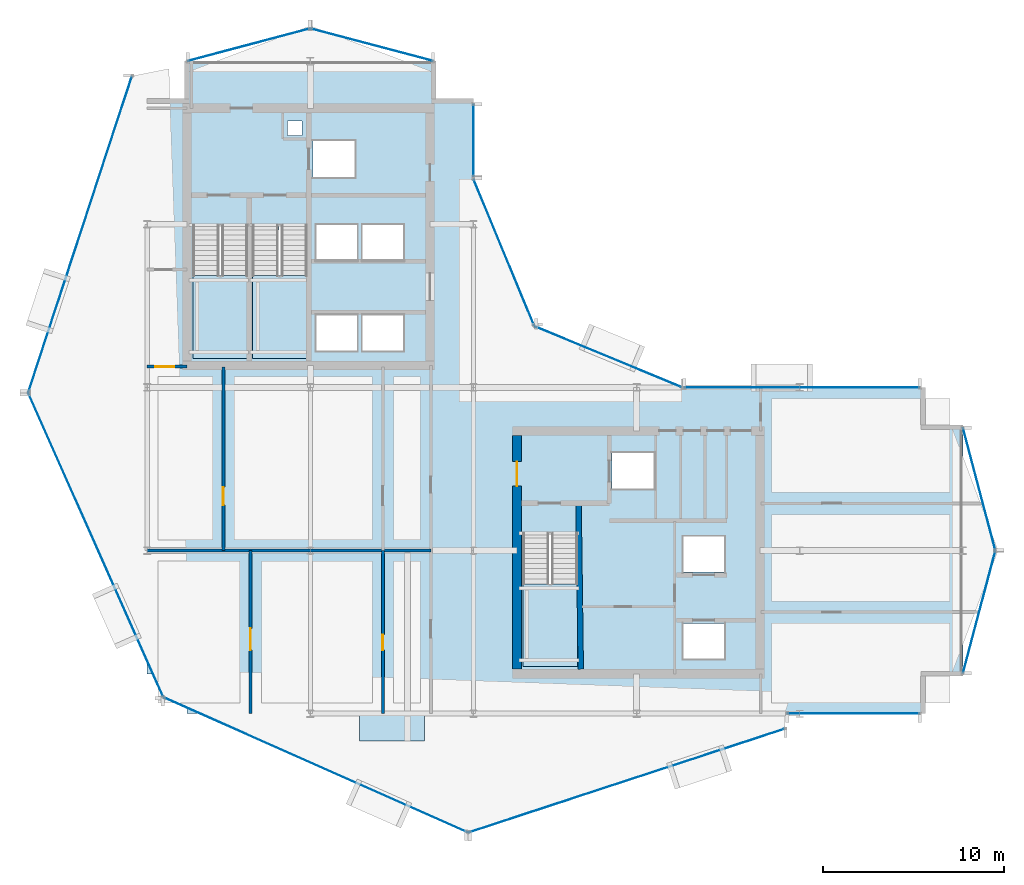
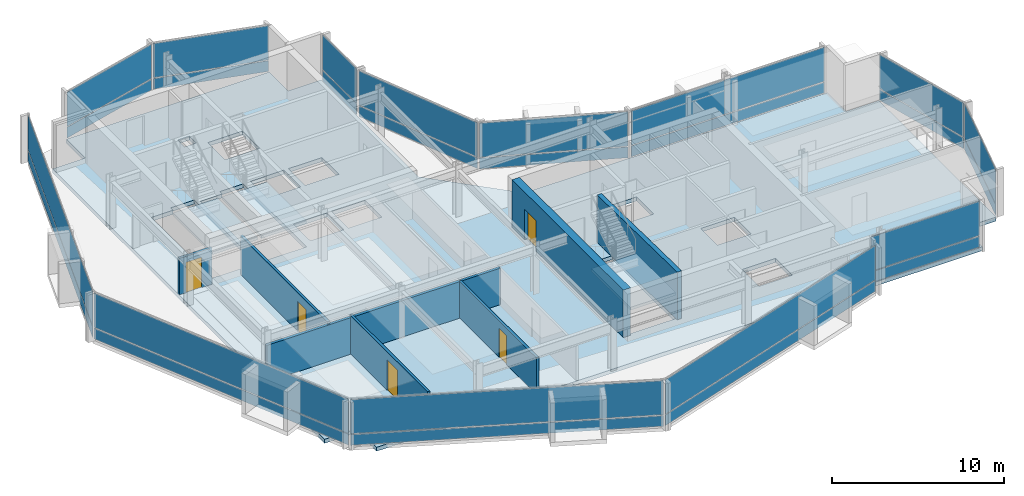
# One storey, part 19 of 27: 26 plates, 7 walls, 5 doors, 5 slabs, 5 openings, 16 elements without a shape of their own.
"""IFC4 building model written with IfcOpenShell, lengths in metres."""

from ifc_helpers import new_model, si_unit, direction, frame, frame_2d, origin, origin_2d, place, context, subcontext, project, spatial, polyline, rectangle, outline, extrude, material, layer, layer_set, type_object, element, fill, aggregate, save


model = new_model("IFC4")

# Units and contexts
model_context = context("Model", 3, precision=1e-05, world=origin(), true_north=direction((0.0, 1.0)))
body_context = subcontext(model_context, "Body", "Model", "MODEL_VIEW")
ifc_project = project(units=[si_unit("LENGTHUNIT", "METRE"), si_unit("AREAUNIT", "SQUARE_METRE"), si_unit("VOLUMEUNIT", "CUBIC_METRE"), si_unit("PLANEANGLEUNIT", "RADIAN"), si_unit("MASSUNIT", "GRAM", prefix="KILO")], contexts=[model_context])

# Site, building, storey
site_placement = place(None, origin())
site = spatial("IfcSite", under=ifc_project, at=site_placement, CompositionType="ELEMENT")
building_placement = place(site_placement, origin())
building = spatial("IfcBuilding", under=site, at=building_placement, Name="Solvaryn Broadcast Tower", CompositionType="ELEMENT")
storey_placement = place(building_placement, frame((0.0, 0.0, 192.699951171875)))
storey = spatial("IfcBuildingStorey", under=building, at=storey_placement, Name="L48", CompositionType="ELEMENT", Elevation=192.699951171875)

# Curtain wall, plates
ifc_material_1 = material(Name="Aluminium and Terracotta Unitised Curtain Wall", Category="masonry")
ifc_layer_1 = layer(ifc_material_1, 0.199951171875)
ifc_layer_set_1 = layer_set([ifc_layer_1], Name="CW-SYS2-LOWMID")
curtain_wall_type = type_object("IfcCurtainWallType", Name="CW-SYS2-LOWMID", PredefinedType="NOTDEFINED", material=ifc_layer_set_1)
curtain_wall_1_placement = place(storey_placement, origin())
curtain_wall_1 = element("IfcCurtainWall", 1, at=curtain_wall_1_placement, inside=storey, type_object=curtain_wall_type, Name="L48 Curtain Wall DR1", PredefinedType="NOTDEFINED")
ifc_material_2 = material(Name="Kiln-Fired Architectural Terracotta Spandrel", Category="masonry")
ifc_layer_2 = layer(ifc_material_2, 0.048095703125)
ifc_layer_set_2 = layer_set([ifc_layer_2], Name="CW-PNL-TERRACOTTA")
plate_type = type_object("IfcPlateType", Name="CW-PNL-TERRACOTTA", PredefinedType="CURTAIN_PANEL", material=ifc_layer_set_2)
plate_1_placement = place(storey_placement, frame((5.298095703125, 35.444091796875, 0.06005859375), z_axis=(0.0, 0.0, 1.0), x_axis=(-0.311558717623, -0.950226902099, 0.0)))
plate_1 = element("IfcPlate", 2, at=plate_1_placement, type_object=plate_type, Name="CWS2 panel 1.1", PredefinedType="CURTAIN_PANEL", context=body_context, shape_type="SweptSolid", body=[
    extrude(rectangle(XDim=18.271484375, YDim=0.028076171875, at=origin_2d()), origin(), (0.0, 0.0, 1.0), 0.760009765625),
])
plate_2_placement = place(storey_placement, frame((5.298095703125, 35.444091796875, 0.8798828125), z_axis=(0.0, 0.0, 1.0), x_axis=(-0.311558717623, -0.950226902099, 0.0)))
plate_2 = element("IfcPlate", 3, at=plate_2_placement, type_object=plate_type, Name="CWS2 panel 1.2", PredefinedType="CURTAIN_PANEL", context=body_context, shape_type="SweptSolid", body=[
    extrude(rectangle(XDim=18.271484375, YDim=0.028076171875, at=origin_2d()), origin(), (0.0, 0.0, 1.0), 2.429931640625),
])
aggregate(curtain_wall_1, [plate_1, plate_2])

curtain_wall_2_placement = place(storey_placement, origin())
curtain_wall_2 = element("IfcCurtainWall", 4, at=curtain_wall_2_placement, inside=storey, type_object=curtain_wall_type, Name="L48 Curtain Wall DR2", PredefinedType="NOTDEFINED")
plate_3_placement = place(storey_placement, frame((6.16552734375, 18.302001953125, 0.06005859375), z_axis=(0.0, 0.0, 1.0), x_axis=(0.405901337237, -0.913916902365, 0.0)))
plate_3 = element("IfcPlate", 5, at=plate_3_placement, type_object=plate_type, Name="CWS2 panel 1.1", PredefinedType="CURTAIN_PANEL", context=body_context, shape_type="SweptSolid", body=[
    extrude(rectangle(XDim=18.271240234375, YDim=0.028076171875, at=origin_2d()), origin(), (0.0, 0.0, 1.0), 0.760009765625),
])
plate_4_placement = place(storey_placement, frame((6.16552734375, 18.302001953125, 0.8798828125), z_axis=(0.0, 0.0, 1.0), x_axis=(0.405901337237, -0.913916902365, 0.0)))
plate_4 = element("IfcPlate", 6, at=plate_4_placement, type_object=plate_type, Name="CWS2 panel 1.2", PredefinedType="CURTAIN_PANEL", context=body_context, shape_type="SweptSolid", body=[
    extrude(rectangle(XDim=18.271240234375, YDim=0.028076171875, at=origin_2d()), origin(), (0.0, 0.0, 1.0), 2.429931640625),
])
aggregate(curtain_wall_2, [plate_3, plate_4])

curtain_wall_3_placement = place(storey_placement, origin())
curtain_wall_3 = element("IfcCurtainWall", 7, at=curtain_wall_3_placement, inside=storey, type_object=curtain_wall_type, Name="L48 Curtain Wall DR3", PredefinedType="NOTDEFINED")
plate_5_placement = place(storey_placement, frame((18.302001953125, 6.16552734375, 0.06005859375), z_axis=(0.0, 0.0, 1.0), x_axis=(0.913916902365, -0.405901337237, 0.0)))
plate_5 = element("IfcPlate", 8, at=plate_5_placement, type_object=plate_type, Name="CWS2 panel 1.1", PredefinedType="CURTAIN_PANEL", context=body_context, shape_type="SweptSolid", body=[
    extrude(rectangle(XDim=18.271240234375, YDim=0.028076171875, at=origin_2d()), origin(), (0.0, 0.0, 1.0), 0.760009765625),
])
plate_6_placement = place(storey_placement, frame((18.302001953125, 6.16552734375, 0.8798828125), z_axis=(0.0, 0.0, 1.0), x_axis=(0.913916902365, -0.405901337237, 0.0)))
plate_6 = element("IfcPlate", 9, at=plate_6_placement, type_object=plate_type, Name="CWS2 panel 1.2", PredefinedType="CURTAIN_PANEL", context=body_context, shape_type="SweptSolid", body=[
    extrude(rectangle(XDim=18.271240234375, YDim=0.028076171875, at=origin_2d()), origin(), (0.0, 0.0, 1.0), 2.429931640625),
])
aggregate(curtain_wall_3, [plate_5, plate_6])

curtain_wall_4_placement = place(storey_placement, origin())
curtain_wall_4 = element("IfcCurtainWall", 10, at=curtain_wall_4_placement, inside=storey, type_object=curtain_wall_type, Name="L48 Curtain Wall DR4", PredefinedType="NOTDEFINED")
plate_7_placement = place(storey_placement, frame((35.444091796875, 5.298095703125, 0.06005859375), z_axis=(0.0, 0.0, 1.0), x_axis=(0.950226902099, 0.311558717623, 0.0)))
plate_7 = element("IfcPlate", 11, at=plate_7_placement, type_object=plate_type, Name="CWS2 panel 1.1", PredefinedType="CURTAIN_PANEL", context=body_context, shape_type="SweptSolid", body=[
    extrude(rectangle(XDim=18.271484375, YDim=0.028076171875, at=origin_2d()), origin(), (0.0, 0.0, 1.0), 0.760009765625),
])
plate_8_placement = place(storey_placement, frame((35.444091796875, 5.298095703125, 0.8798828125), z_axis=(0.0, 0.0, 1.0), x_axis=(0.950226902099, 0.311558717623, 0.0)))
plate_8 = element("IfcPlate", 12, at=plate_8_placement, type_object=plate_type, Name="CWS2 panel 1.2", PredefinedType="CURTAIN_PANEL", context=body_context, shape_type="SweptSolid", body=[
    extrude(rectangle(XDim=18.271484375, YDim=0.028076171875, at=origin_2d()), origin(), (0.0, 0.0, 1.0), 2.429931640625),
])
aggregate(curtain_wall_4, [plate_7, plate_8])

curtain_wall_5_placement = place(storey_placement, origin())
curtain_wall_5 = element("IfcCurtainWall", 13, at=curtain_wall_5_placement, inside=storey, type_object=curtain_wall_type, Name="L48 Curtain Wall IV", PredefinedType="NOTDEFINED")
plate_9_placement = place(storey_placement, frame((27.0, 40.625, 0.06005859375), z_axis=(0.0, 0.0, 1.0), x_axis=(0.0, -1.0, 0.0)))
plate_9 = element("IfcPlate", 14, at=plate_9_placement, type_object=plate_type, Name="CWS2 panel 1.1", PredefinedType="CURTAIN_PANEL", context=body_context, shape_type="SweptSolid", body=[
    extrude(rectangle(XDim=3.929931640625, YDim=0.028076171875, at=origin_2d()), origin(), (0.0, 0.0, 1.0), 0.760009765625),
])
plate_10_placement = place(storey_placement, frame((27.0, 40.625, 0.8798828125), z_axis=(0.0, 0.0, 1.0), x_axis=(0.0, -1.0, 0.0)))
plate_10 = element("IfcPlate", 15, at=plate_10_placement, type_object=plate_type, Name="CWS2 panel 1.2", PredefinedType="CURTAIN_PANEL", context=body_context, shape_type="SweptSolid", body=[
    extrude(rectangle(XDim=3.929931640625, YDim=0.028076171875, at=origin_2d()), origin(), (0.0, 0.0, 1.0), 2.429931640625),
])
aggregate(curtain_wall_5, [plate_9, plate_10])

curtain_wall_6_placement = place(storey_placement, origin())
curtain_wall_6 = element("IfcCurtainWall", 16, at=curtain_wall_6_placement, inside=storey, type_object=curtain_wall_type, Name="L48 Curtain Wall CN1", PredefinedType="NOTDEFINED")
plate_11_placement = place(storey_placement, frame((34.43408203125, 28.68408203125, 0.06005859375), z_axis=(0.0, 0.0, 1.0), x_axis=(-0.923894983957, 0.382646127145, 0.0)))
plate_11 = element("IfcPlate", 17, at=plate_11_placement, type_object=plate_type, Name="CWS2 panel 1.1", PredefinedType="CURTAIN_PANEL", context=body_context, shape_type="SweptSolid", body=[
    extrude(rectangle(XDim=8.681884765625, YDim=0.028076171875, at=origin_2d()), origin(), (0.0, 0.0, 1.0), 0.760009765625),
])
plate_12_placement = place(storey_placement, frame((34.43408203125, 28.68408203125, 0.8798828125), z_axis=(0.0, 0.0, 1.0), x_axis=(-0.923894983957, 0.382646127145, 0.0)))
plate_12 = element("IfcPlate", 18, at=plate_12_placement, type_object=plate_type, Name="CWS2 panel 1.2", PredefinedType="CURTAIN_PANEL", context=body_context, shape_type="SweptSolid", body=[
    extrude(rectangle(XDim=8.681884765625, YDim=0.028076171875, at=origin_2d()), origin(), (0.0, 0.0, 1.0), 2.429931640625),
])
aggregate(curtain_wall_6, [plate_11, plate_12])

curtain_wall_7_placement = place(storey_placement, origin())
curtain_wall_7 = element("IfcCurtainWall", 19, at=curtain_wall_7_placement, inside=storey, type_object=curtain_wall_type, Name="L48 Curtain Wall CN2", PredefinedType="NOTDEFINED")
plate_13_placement = place(storey_placement, frame((28.68408203125, 34.43408203125, 0.06005859375), z_axis=(0.0, 0.0, 1.0), x_axis=(-0.382646127145, 0.923894983957, 0.0)))
plate_13 = element("IfcPlate", 20, at=plate_13_placement, type_object=plate_type, Name="CWS2 panel 1.1", PredefinedType="CURTAIN_PANEL", context=body_context, shape_type="SweptSolid", body=[
    extrude(rectangle(XDim=8.681884765625, YDim=0.028076171875, at=origin_2d()), origin(), (0.0, 0.0, 1.0), 0.760009765625),
])
plate_14_placement = place(storey_placement, frame((28.68408203125, 34.43408203125, 0.8798828125), z_axis=(0.0, 0.0, 1.0), x_axis=(-0.382646127145, 0.923894983957, 0.0)))
plate_14 = element("IfcPlate", 21, at=plate_14_placement, type_object=plate_type, Name="CWS2 panel 1.2", PredefinedType="CURTAIN_PANEL", context=body_context, shape_type="SweptSolid", body=[
    extrude(rectangle(XDim=8.681884765625, YDim=0.028076171875, at=origin_2d()), origin(), (0.0, 0.0, 1.0), 2.429931640625),
])
aggregate(curtain_wall_7, [plate_13, plate_14])

curtain_wall_8_placement = place(storey_placement, origin())
curtain_wall_8 = element("IfcCurtainWall", 22, at=curtain_wall_8_placement, inside=storey, type_object=curtain_wall_type, Name="L48 Curtain Wall S2", PredefinedType="NOTDEFINED")
plate_15_placement = place(storey_placement, frame((47.966064453125, 9.0, 0.06005859375), z_axis=(0.0, 0.0, 1.0), x_axis=(1.0, 0.0, 0.0)))
plate_15 = element("IfcPlate", 23, at=plate_15_placement, type_object=plate_type, Name="CWS2 panel 1.1", PredefinedType="CURTAIN_PANEL", context=body_context, shape_type="SweptSolid", body=[
    extrude(rectangle(XDim=7.248046875, YDim=0.028076171875, at=origin_2d()), origin(), (0.0, 0.0, 1.0), 0.760009765625),
])
plate_16_placement = place(storey_placement, frame((47.966064453125, 9.0, 0.8798828125), z_axis=(0.0, 0.0, 1.0), x_axis=(1.0, 0.0, 0.0)))
plate_16 = element("IfcPlate", 24, at=plate_16_placement, type_object=plate_type, Name="CWS2 panel 1.2", PredefinedType="CURTAIN_PANEL", context=body_context, shape_type="SweptSolid", body=[
    extrude(rectangle(XDim=7.248046875, YDim=0.028076171875, at=origin_2d()), origin(), (0.0, 0.0, 1.0), 2.429931640625),
])
aggregate(curtain_wall_8, [plate_15, plate_16])

curtain_wall_9_placement = place(storey_placement, origin())
curtain_wall_9 = element("IfcCurtainWall", 25, at=curtain_wall_9_placement, inside=storey, type_object=curtain_wall_type, Name="L48 Curtain Wall NT1", PredefinedType="NOTDEFINED")
plate_17_placement = place(storey_placement, frame((21.39990234375, 45.89990234375, 0.06005859375), z_axis=(0.0, 0.0, 1.0), x_axis=(-0.966705227863, 0.25589256031, 0.0)))
plate_17 = element("IfcPlate", 26, at=plate_17_placement, type_object=plate_type, Name="CWS2 panel 1.1", PredefinedType="CURTAIN_PANEL", context=body_context, shape_type="SweptSolid", body=[
    extrude(rectangle(XDim=6.914306640625, YDim=0.028076171875, at=origin_2d()), origin(), (0.0, 0.0, 1.0), 0.760009765625),
])
plate_18_placement = place(storey_placement, frame((21.39990234375, 45.89990234375, 0.8798828125), z_axis=(0.0, 0.0, 1.0), x_axis=(-0.966705227863, 0.25589256031, 0.0)))
plate_18 = element("IfcPlate", 27, at=plate_18_placement, type_object=plate_type, Name="CWS2 panel 1.2", PredefinedType="CURTAIN_PANEL", context=body_context, shape_type="SweptSolid", body=[
    extrude(rectangle(XDim=6.914306640625, YDim=0.028076171875, at=origin_2d()), origin(), (0.0, 0.0, 1.0), 2.429931640625),
])
aggregate(curtain_wall_9, [plate_17, plate_18])

curtain_wall_10_placement = place(storey_placement, origin())
curtain_wall_10 = element("IfcCurtainWall", 28, at=curtain_wall_10_placement, inside=storey, type_object=curtain_wall_type, Name="L48 Curtain Wall NT2", PredefinedType="NOTDEFINED")
plate_19_placement = place(storey_placement, frame((14.60009765625, 45.89990234375, 0.06005859375), z_axis=(0.0, 0.0, 1.0), x_axis=(-0.966705227863, -0.25589256031, 0.0)))
plate_19 = element("IfcPlate", 29, at=plate_19_placement, type_object=plate_type, Name="CWS2 panel 1.1", PredefinedType="CURTAIN_PANEL", context=body_context, shape_type="SweptSolid", body=[
    extrude(rectangle(XDim=6.914306640625, YDim=0.028076171875, at=origin_2d()), origin(), (0.0, 0.0, 1.0), 0.760009765625),
])
plate_20_placement = place(storey_placement, frame((14.60009765625, 45.89990234375, 0.8798828125), z_axis=(0.0, 0.0, 1.0), x_axis=(-0.966705227863, -0.25589256031, 0.0)))
plate_20 = element("IfcPlate", 30, at=plate_20_placement, type_object=plate_type, Name="CWS2 panel 1.2", PredefinedType="CURTAIN_PANEL", context=body_context, shape_type="SweptSolid", body=[
    extrude(rectangle(XDim=6.914306640625, YDim=0.028076171875, at=origin_2d()), origin(), (0.0, 0.0, 1.0), 2.429931640625),
])
aggregate(curtain_wall_10, [plate_19, plate_20])

curtain_wall_11_placement = place(storey_placement, origin())
curtain_wall_11 = element("IfcCurtainWall", 31, at=curtain_wall_11_placement, inside=storey, type_object=curtain_wall_type, Name="L48 Curtain Wall ET1", PredefinedType="NOTDEFINED")
plate_21_placement = place(storey_placement, frame((54.89990234375, 21.39990234375, 0.06005859375), z_axis=(0.0, 0.0, 1.0), x_axis=(0.25589256031, -0.966705227863, 0.0)))
plate_21 = element("IfcPlate", 32, at=plate_21_placement, type_object=plate_type, Name="CWS2 panel 1.1", PredefinedType="CURTAIN_PANEL", context=body_context, shape_type="SweptSolid", body=[
    extrude(rectangle(XDim=6.914306640625, YDim=0.028076171875, at=origin_2d()), origin(), (0.0, 0.0, 1.0), 0.760009765625),
])
plate_22_placement = place(storey_placement, frame((54.89990234375, 21.39990234375, 0.8798828125), z_axis=(0.0, 0.0, 1.0), x_axis=(0.25589256031, -0.966705227863, 0.0)))
plate_22 = element("IfcPlate", 33, at=plate_22_placement, type_object=plate_type, Name="CWS2 panel 1.2", PredefinedType="CURTAIN_PANEL", context=body_context, shape_type="SweptSolid", body=[
    extrude(rectangle(XDim=6.914306640625, YDim=0.028076171875, at=origin_2d()), origin(), (0.0, 0.0, 1.0), 2.429931640625),
])
aggregate(curtain_wall_11, [plate_21, plate_22])

curtain_wall_12_placement = place(storey_placement, origin())
curtain_wall_12 = element("IfcCurtainWall", 34, at=curtain_wall_12_placement, inside=storey, type_object=curtain_wall_type, Name="L48 Curtain Wall ET2", PredefinedType="NOTDEFINED")
plate_23_placement = place(storey_placement, frame((54.89990234375, 14.60009765625, 0.06005859375), z_axis=(0.0, 0.0, 1.0), x_axis=(-0.25589256031, -0.966705227863, 0.0)))
plate_23 = element("IfcPlate", 35, at=plate_23_placement, type_object=plate_type, Name="CWS2 panel 1.1", PredefinedType="CURTAIN_PANEL", context=body_context, shape_type="SweptSolid", body=[
    extrude(rectangle(XDim=6.914306640625, YDim=0.028076171875, at=origin_2d()), origin(), (0.0, 0.0, 1.0), 0.760009765625),
])
plate_24_placement = place(storey_placement, frame((54.89990234375, 14.60009765625, 0.8798828125), z_axis=(0.0, 0.0, 1.0), x_axis=(-0.25589256031, -0.966705227863, 0.0)))
plate_24 = element("IfcPlate", 36, at=plate_24_placement, type_object=plate_type, Name="CWS2 panel 1.2", PredefinedType="CURTAIN_PANEL", context=body_context, shape_type="SweptSolid", body=[
    extrude(rectangle(XDim=6.914306640625, YDim=0.028076171875, at=origin_2d()), origin(), (0.0, 0.0, 1.0), 2.429931640625),
])
aggregate(curtain_wall_12, [plate_23, plate_24])

curtain_wall_13_placement = place(storey_placement, origin())
curtain_wall_13 = element("IfcCurtainWall", 37, at=curtain_wall_13_placement, inside=storey, type_object=curtain_wall_type, Name="L48 Curtain Wall IH", PredefinedType="NOTDEFINED")
plate_25_placement = place(storey_placement, frame((45.125, 27.0, 0.06005859375), z_axis=(0.0, 0.0, 1.0), x_axis=(1.0, 0.0, 0.0)))
plate_25 = element("IfcPlate", 38, at=plate_25_placement, type_object=plate_type, Name="CWS2 panel 1.1", PredefinedType="CURTAIN_PANEL", context=body_context, shape_type="SweptSolid", body=[
    extrude(rectangle(XDim=12.929931640625, YDim=0.028076171875, at=origin_2d()), origin(), (0.0, 0.0, 1.0), 0.760009765625),
])
plate_26_placement = place(storey_placement, frame((45.125, 27.0, 0.8798828125), z_axis=(0.0, 0.0, 1.0), x_axis=(1.0, 0.0, 0.0)))
plate_26 = element("IfcPlate", 39, at=plate_26_placement, type_object=plate_type, Name="CWS2 panel 1.2", PredefinedType="CURTAIN_PANEL", context=body_context, shape_type="SweptSolid", body=[
    extrude(rectangle(XDim=12.929931640625, YDim=0.028076171875, at=origin_2d()), origin(), (0.0, 0.0, 1.0), 2.429931640625),
])
aggregate(curtain_wall_13, [plate_25, plate_26])

# Slab
ifc_material_3 = material(Name="Concrete f'c 60 MPa", Category="concrete")
ifc_layer_3 = layer(ifc_material_3, 0.2099609375)
ifc_layer_set_3 = layer_set([ifc_layer_3], Name="SL-BAYBOX-210")
slab_type_1 = type_object("IfcSlabType", Name="SL-BAYBOX-210", PredefinedType="FLOOR", material=ifc_layer_set_3)
slab_1_placement = place(storey_placement, frame((0.0, 0.0, -0.2099609375)))
element("IfcSlab", 40, at=slab_1_placement, inside=storey, type_object=slab_type_1, Name="L48 Projecting Bay-Box Slab 1", PredefinedType="FLOOR", context=body_context, shape_type="SweptSolid", body=[
    extrude(outline(polyline([(20.699951171875, 7.5), (24.300048828125, 7.5), (24.300048828125, 9.0), (20.699951171875, 9.0), (20.699951171875, 7.5)])), origin(), (0.0, 0.0, 1.0), 0.2099609375),
])

# Stair, slab
ifc_material_4 = material(Name="Concrete f'c 60 MPa", Category="concrete")
stair_type = type_object("IfcStairType", Name="ST-CORE", PredefinedType="HALF_TURN_STAIR", material=ifc_material_4)
stair_1_placement = place(storey_placement, origin())
stair_1 = element("IfcStair", 41, at=stair_1_placement, inside=storey, type_object=stair_type, Name="L48 ST1", PredefinedType="HALF_TURN_STAIR")
ifc_material_5 = material(Name="Concrete f'c 60 MPa", Category="concrete")
ifc_layer_4 = layer(ifc_material_5, 0.199951171875)
ifc_layer_set_4 = layer_set([ifc_layer_4], Name="SL-LANDING-200")
slab_type_2 = type_object("IfcSlabType", Name="SL-LANDING-200", PredefinedType="LANDING", material=ifc_layer_set_4)
slab_2_placement = place(storey_placement, frame((0.0, 0.0, 1.650146484375)))
slab_2 = element("IfcSlab", 42, at=slab_2_placement, type_object=slab_type_2, Name="ST1 landing 1", PredefinedType="LANDING", context=body_context, shape_type="SweptSolid", body=[
    extrude(outline(polyline([(11.52001953125, 33.159912109375), (11.52001953125, 28.60009765625), (14.550048828125, 28.60009765625), (14.550048828125, 33.159912109375), (11.52001953125, 33.159912109375)])), origin(), (0.0, 0.0, 1.0), 0.199951171875),
])
aggregate(stair_1, [slab_2])

stair_2_placement = place(storey_placement, origin())
stair_2 = element("IfcStair", 43, at=stair_2_placement, inside=storey, type_object=stair_type, Name="L48 ST2", PredefinedType="HALF_TURN_STAIR")
slab_3_placement = place(storey_placement, frame((0.0, 0.0, 1.650146484375)))
slab_3 = element("IfcSlab", 44, at=slab_3_placement, type_object=slab_type_2, Name="ST2 landing 1", PredefinedType="LANDING", context=body_context, shape_type="SweptSolid", body=[
    extrude(outline(polyline([(14.800048828125, 33.159912109375), (14.800048828125, 28.60009765625), (17.830078125, 28.60009765625), (17.830078125, 33.159912109375), (14.800048828125, 33.159912109375)])), origin(), (0.0, 0.0, 1.0), 0.199951171875),
])
aggregate(stair_2, [slab_3])

stair_3_placement = place(storey_placement, origin())
stair_3 = element("IfcStair", 45, at=stair_3_placement, inside=storey, type_object=stair_type, Name="L48 ST3", PredefinedType="HALF_TURN_STAIR")
slab_4_placement = place(storey_placement, frame((0.0, 0.0, 1.650146484375)))
slab_4 = element("IfcSlab", 46, at=slab_4_placement, type_object=slab_type_2, Name="ST3 landing 1", PredefinedType="LANDING", context=body_context, shape_type="SweptSolid", body=[
    extrude(outline(polyline([(29.719970703125, 16.159912109375), (29.719970703125, 11.60009765625), (32.75, 11.60009765625), (32.75, 16.159912109375), (29.719970703125, 16.159912109375)])), origin(), (0.0, 0.0, 1.0), 0.199951171875),
])
aggregate(stair_3, [slab_4])

# Slab
ifc_material_6 = material(Name="Concrete f'c 60 MPa", Category="concrete")
ifc_layer_5 = layer(ifc_material_6, 0.280029296875)
ifc_layer_set_5 = layer_set([ifc_layer_5], Name="SL-TWR-280")
slab_type_3 = type_object("IfcSlabType", Name="SL-TWR-280", PredefinedType="FLOOR", material=ifc_layer_set_5)
slab_5_placement = place(storey_placement, frame((0.0, 0.0, -0.280029296875)))
element("IfcSlab", 47, at=slab_5_placement, inside=storey, type_object=slab_type_3, Name="L48 Structural Floor Slab", PredefinedType="FLOOR", context=body_context, shape_type="SweptSolid", body=[
    extrude(outline(polyline([(11.199951171875, 9.0), (51.800048828125, 9.0), (51.800048828125, 11.199951171875), (54.0, 11.199951171875), (54.0, 24.800048828125), (51.800048828125, 24.800048828125), (51.800048828125, 27.0), (31.5, 27.0), (27.0, 31.5), (27.0, 42.800048828125), (24.800048828125, 42.800048828125), (24.800048828125, 45.0), (11.199951171875, 45.0), (11.199951171875, 42.800048828125), (9.0, 42.800048828125), (9.0, 11.199951171875), (11.199951171875, 11.199951171875), (11.199951171875, 9.0)]), holes=[polyline([(11.52001953125, 28.60009765625), (14.550048828125, 28.60009765625), (14.550048828125, 35.9599609375), (12.97998046875, 35.9599609375), (12.97998046875, 35.679931640625), (11.52001953125, 35.679931640625), (11.52001953125, 28.60009765625)]), polyline([(14.800048828125, 28.60009765625), (17.830078125, 28.60009765625), (17.830078125, 35.9599609375), (16.260009765625, 35.9599609375), (16.260009765625, 35.679931640625), (14.800048828125, 35.679931640625), (14.800048828125, 28.60009765625)]), polyline([(29.719970703125, 11.60009765625), (32.75, 11.60009765625), (32.75, 18.9599609375), (31.179931640625, 18.9599609375), (31.179931640625, 18.679931640625), (29.719970703125, 18.679931640625), (29.719970703125, 11.60009765625)]), polyline([(18.14990234375, 38.60009765625), (20.449951171875, 38.60009765625), (20.449951171875, 40.60009765625), (18.14990234375, 40.60009765625), (18.14990234375, 38.60009765625)]), polyline([(18.324951171875, 29.02490234375), (20.574951171875, 29.02490234375), (20.574951171875, 30.97509765625), (18.324951171875, 30.97509765625), (18.324951171875, 29.02490234375)]), polyline([(20.875, 29.02490234375), (23.125, 29.02490234375), (23.125, 30.97509765625), (20.875, 30.97509765625), (20.875, 29.02490234375)]), polyline([(18.324951171875, 34.02490234375), (20.574951171875, 34.02490234375), (20.574951171875, 35.97509765625), (18.324951171875, 35.97509765625), (18.324951171875, 34.02490234375)]), polyline([(20.875, 34.02490234375), (23.125, 34.02490234375), (23.125, 35.97509765625), (20.875, 35.97509765625), (20.875, 34.02490234375)]), polyline([(34.64990234375, 21.39990234375), (36.949951171875, 21.39990234375), (36.949951171875, 23.39990234375), (34.64990234375, 23.39990234375), (34.64990234375, 21.39990234375)]), polyline([(38.574951171875, 12.02490234375), (40.824951171875, 12.02490234375), (40.824951171875, 13.97509765625), (38.574951171875, 13.97509765625), (38.574951171875, 12.02490234375)]), polyline([(38.574951171875, 16.824951171875), (40.824951171875, 16.824951171875), (40.824951171875, 18.77490234375), (38.574951171875, 18.77490234375), (38.574951171875, 16.824951171875)]), polyline([(16.75, 40.89990234375), (17.550048828125, 40.89990234375), (17.550048828125, 41.699951171875), (16.75, 41.699951171875), (16.75, 40.89990234375)])]), origin(), (0.0, 0.0, 1.0), 0.280029296875),
])

# Wall, opening, door
ifc_material_7 = material(Name="Concrete f'c 70 MPa", Category="concrete")
ifc_layer_6 = layer(ifc_material_7, 0.5)
ifc_layer_set_6 = layer_set([ifc_layer_6], Name="CW-SHEAR-500")
wall_type_1 = type_object("IfcWallType", Name="CW-SHEAR-500", PredefinedType="SHEAR", material=ifc_layer_set_6)
wall_1_placement = place(storey_placement, frame((29.39990234375, 24.35009765625, 0.0), z_axis=(0.0, 0.0, 1.0), x_axis=(0.0, -1.0, 0.0)))
wall_1 = element("IfcWall", 48, at=wall_1_placement, inside=storey, type_object=wall_type_1, Name="L48 East Core West Shear Wall", PredefinedType="SHEAR", context=body_context, shape_type="SweptSolid", body=[
    extrude(rectangle(XDim=12.900146484375, YDim=0.5, at=frame_2d((6.4501953125, 0.0))), origin(), (0.0, 0.0, 1.0), 3.3701171875),
])
opening_1_placement = place(wall_1_placement, frame((1.449951171875, 0.0, 0.0)))
opening_1 = element("IfcOpeningElement", 49, at=opening_1_placement, cuts=wall_1, Name="Opening FD90B", PredefinedType="OPENING", context=body_context, shape_type="SweptSolid", body=[
    extrude(rectangle(XDim=1.35009765625, YDim=2.14990234375, at=frame_2d((0.675048828125, 1.074951171875))), frame((0.0, 0.260009765625, 0.0), z_axis=(0.0, -1.0, 0.0), x_axis=(1.0, 0.0, 0.0)), (0.0, 0.0, 1.0), 0.52001953125),
])
ifc_material_8 = material(Name="Flush Acoustic Steel and Timber Door Assembly", Category="steel")
door_type_1 = type_object("IfcDoorType", Name="FD90-LOBBY-1350X2150", OperationType="NOTDEFINED", PredefinedType="DOOR", material=ifc_material_8)
door_1_placement = place(opening_1_placement, origin())
door_1 = element("IfcDoor", 50, at=door_1_placement, inside=storey, type_object=door_type_1, Name="L48 East FSAE Lobby Door", OperationType="SINGLE_SWING_RIGHT", OverallHeight=2.14990234375, OverallWidth=1.35009765625, PredefinedType="DOOR", context=body_context, shape_type="SweptSolid", body=[
    extrude(rectangle(XDim=1.35009765625, YDim=2.14990234375, at=frame_2d((0.675048828125, 1.074951171875))), frame((0.0, 0.02490234375, 0.0), z_axis=(0.0, -1.0, 0.0), x_axis=(1.0, 0.0, 0.0)), (0.0, 0.0, 1.0), 0.050048828125),
])
fill(opening_1, door_1)

ifc_material_9 = material(Name="Metal-Stud Gypsum Office Partition")
ifc_layer_7 = layer(ifc_material_9, 0.159912109375)
ifc_layer_set_7 = layer_set([ifc_layer_7], Name="IW-PART-160")
wall_type_2 = type_object("IfcWallType", Name="IW-PART-160", PredefinedType="PARTITIONING", material=ifc_layer_set_7)
wall_2_placement = place(storey_placement, frame((9.0, 28.14990234375, 0.0), z_axis=(0.0, 0.0, 1.0), x_axis=(1.0, 0.0, 0.0)))
wall_2 = element("IfcWall", 51, at=wall_2_placement, inside=storey, type_object=wall_type_2, Name="L48 Interior Partition IW-L48-WM-S", PredefinedType="PARTITIONING", context=body_context, shape_type="SweptSolid", body=[
    extrude(rectangle(XDim=2.199951171875, YDim=0.159912109375, at=frame_2d((1.10009765625, 0.0))), origin(), (0.0, 0.0, 1.0), 2.583984375),
])
opening_2_placement = place(wall_2_placement, frame((0.449951171875, 0.0, 0.0)))
opening_2 = element("IfcOpeningElement", 52, at=opening_2_placement, cuts=wall_2, Name="Opening ID03", PredefinedType="OPENING", context=body_context, shape_type="SweptSolid", body=[
    extrude(rectangle(XDim=1.050048828125, YDim=2.14990234375, at=frame_2d((0.52490234375, 1.074951171875))), frame((0.0, 0.090087890625, 0.0), z_axis=(0.0, -1.0, 0.0), x_axis=(1.0, 0.0, 0.0)), (0.0, 0.0, 1.0), 0.179931640625),
])
ifc_material_10 = material(Name="Flush Acoustic Steel and Timber Door Assembly", Category="steel")
door_type_2 = type_object("IfcDoorType", Name="ID-03-1050X2150", OperationType="NOTDEFINED", PredefinedType="DOOR", material=ifc_material_10)
door_2_placement = place(opening_2_placement, origin())
door_2 = element("IfcDoor", 53, at=door_2_placement, inside=storey, type_object=door_type_2, Name="L48 Door DR-L48-WM0", OperationType="SINGLE_SWING_LEFT", OverallHeight=2.14990234375, OverallWidth=1.050048828125, PredefinedType="DOOR", context=body_context, shape_type="SweptSolid", body=[
    extrude(rectangle(XDim=1.050048828125, YDim=2.14990234375, at=frame_2d((0.52490234375, 1.074951171875))), frame((0.0, 0.02490234375, 0.0), z_axis=(0.0, -1.0, 0.0), x_axis=(1.0, 0.0, 0.0)), (0.0, 0.0, 1.0), 0.050048828125),
])
fill(opening_2, door_2)

wall_3_placement = place(storey_placement, frame((13.199951171875, 18.0, 0.0), z_axis=(0.0, 0.0, 1.0), x_axis=(0.0, 1.0, 0.0)))
wall_3 = element("IfcWall", 54, at=wall_3_placement, inside=storey, type_object=wall_type_2, Name="L48 Interior Partition IW-L48-SWN-V1", PredefinedType="PARTITIONING", context=body_context, shape_type="SweptSolid", body=[
    extrude(rectangle(XDim=10.1298828125, YDim=0.159912109375, at=frame_2d((5.06494140625, 0.0))), origin(), (0.0, 0.0, 1.0), 2.739013671875),
])
opening_3_placement = place(wall_3_placement, frame((2.5, 0.0, 0.0)))
opening_3 = element("IfcOpeningElement", 55, at=opening_3_placement, cuts=wall_3, Name="Opening ID02", PredefinedType="OPENING", context=body_context, shape_type="SweptSolid", body=[
    extrude(rectangle(XDim=1.0, YDim=2.10009765625, at=frame_2d((0.5, 1.050048828125))), frame((0.0, 0.090087890625, 0.0), z_axis=(0.0, -1.0, 0.0), x_axis=(1.0, 0.0, 0.0)), (0.0, 0.0, 1.0), 0.179931640625),
])
ifc_material_11 = material(Name="Flush Acoustic Steel and Timber Door Assembly", Category="steel")
door_type_3 = type_object("IfcDoorType", Name="ID-02-1000X2100", OperationType="NOTDEFINED", PredefinedType="DOOR", material=ifc_material_11)
door_3_placement = place(opening_3_placement, origin())
door_3 = element("IfcDoor", 56, at=door_3_placement, inside=storey, type_object=door_type_3, Name="L48 Door DR-L48-SWN-1", OperationType="SINGLE_SWING_LEFT", OverallHeight=2.10009765625, OverallWidth=1.0, PredefinedType="DOOR", context=body_context, shape_type="SweptSolid", body=[
    extrude(rectangle(XDim=1.0, YDim=2.10009765625, at=frame_2d((0.5, 1.050048828125))), frame((0.0, 0.02490234375, 0.0), z_axis=(0.0, -1.0, 0.0), x_axis=(1.0, 0.0, 0.0)), (0.0, 0.0, 1.0), 0.050048828125),
])
fill(opening_3, door_3)

wall_4_placement = place(storey_placement, frame((14.699951171875, 9.0, 0.0), z_axis=(0.0, 0.0, 1.0), x_axis=(0.0, 1.0, 0.0)))
wall_4 = element("IfcWall", 57, at=wall_4_placement, inside=storey, type_object=wall_type_2, Name="L48 Interior Partition IW-L48-SWS-V1", PredefinedType="PARTITIONING", context=body_context, shape_type="SweptSolid", body=[
    extrude(rectangle(XDim=9.0, YDim=0.159912109375, at=frame_2d((4.5, 0.0))), origin(), (0.0, 0.0, 1.0), 2.739013671875),
])
opening_4_placement = place(wall_4_placement, frame((3.5, 0.0, 0.0)))
opening_4 = element("IfcOpeningElement", 58, at=opening_4_placement, cuts=wall_4, Name="Opening ID04", PredefinedType="OPENING", context=body_context, shape_type="SweptSolid", body=[
    extrude(rectangle(XDim=1.199951171875, YDim=2.14990234375, at=frame_2d((0.60009765625, 1.074951171875))), frame((0.0, 0.090087890625, 0.0), z_axis=(0.0, -1.0, 0.0), x_axis=(1.0, 0.0, 0.0)), (0.0, 0.0, 1.0), 0.179931640625),
])
ifc_material_12 = material(Name="Flush Acoustic Steel and Timber Door Assembly", Category="steel")
door_type_4 = type_object("IfcDoorType", Name="ID-04-1200X2150", OperationType="NOTDEFINED", PredefinedType="DOOR", material=ifc_material_12)
door_4_placement = place(opening_4_placement, origin())
door_4 = element("IfcDoor", 59, at=door_4_placement, inside=storey, type_object=door_type_4, Name="L48 Door DR-L48-SWS-1", OperationType="SINGLE_SWING_LEFT", OverallHeight=2.14990234375, OverallWidth=1.199951171875, PredefinedType="DOOR", context=body_context, shape_type="SweptSolid", body=[
    extrude(rectangle(XDim=1.199951171875, YDim=2.14990234375, at=frame_2d((0.60009765625, 1.074951171875))), frame((0.0, 0.02490234375, 0.0), z_axis=(0.0, -1.0, 0.0), x_axis=(1.0, 0.0, 0.0)), (0.0, 0.0, 1.0), 0.050048828125),
])
fill(opening_4, door_4)

wall_5_placement = place(storey_placement, frame((22.0, 9.0, 0.0), z_axis=(0.0, 0.0, 1.0), x_axis=(0.0, 1.0, 0.0)))
wall_5 = element("IfcWall", 60, at=wall_5_placement, inside=storey, type_object=wall_type_2, Name="L48 Interior Partition IW-L48-SWS-V2", PredefinedType="PARTITIONING", context=body_context, shape_type="SweptSolid", body=[
    extrude(rectangle(XDim=9.0, YDim=0.159912109375, at=frame_2d((4.5, 0.0))), origin(), (0.0, 0.0, 1.0), 2.583984375),
])
opening_5_placement = place(wall_5_placement, frame((3.5, 0.0, 0.0)))
opening_5 = element("IfcOpeningElement", 61, at=opening_5_placement, cuts=wall_5, Name="Opening ID07", PredefinedType="OPENING", context=body_context, shape_type="SweptSolid", body=[
    extrude(rectangle(XDim=0.860107421875, YDim=2.050048828125, at=frame_2d((0.43017578125, 1.02490234375))), frame((0.0, 0.090087890625, 0.0), z_axis=(0.0, -1.0, 0.0), x_axis=(1.0, 0.0, 0.0)), (0.0, 0.0, 1.0), 0.179931640625),
])
ifc_material_13 = material(Name="Flush Acoustic Steel and Timber Door Assembly", Category="steel")
door_type_5 = type_object("IfcDoorType", Name="ID-07-860X2050", OperationType="NOTDEFINED", PredefinedType="DOOR", material=ifc_material_13)
door_5_placement = place(opening_5_placement, origin())
door_5 = element("IfcDoor", 62, at=door_5_placement, inside=storey, type_object=door_type_5, Name="L48 Door DR-L48-SWS-2", OperationType="SINGLE_SWING_RIGHT", OverallHeight=2.050048828125, OverallWidth=0.860107421875, PredefinedType="DOOR", context=body_context, shape_type="SweptSolid", body=[
    extrude(rectangle(XDim=0.860107421875, YDim=2.050048828125, at=frame_2d((0.43017578125, 1.02490234375))), frame((0.0, 0.02490234375, 0.0), z_axis=(0.0, -1.0, 0.0), x_axis=(1.0, 0.0, 0.0)), (0.0, 0.0, 1.0), 0.050048828125),
])
fill(opening_5, door_5)

# Walls
ifc_material_14 = material(Name="Acoustic Metal-Stud Gypsum Partition")
ifc_layer_8 = layer(ifc_material_14, 0.179931640625)
ifc_layer_set_8 = layer_set([ifc_layer_8], Name="IW-PART-180")
wall_type_3 = type_object("IfcWallType", Name="IW-PART-180", PredefinedType="PARTITIONING", material=ifc_layer_set_8)
wall_6_placement = place(storey_placement, frame((9.0, 18.0, 0.0), z_axis=(0.0, 0.0, 1.0), x_axis=(1.0, 0.0, 0.0)))
element("IfcWall", 63, at=wall_6_placement, inside=storey, type_object=wall_type_3, Name="L48 Interior Partition IW-L48-SW-HY", PredefinedType="PARTITIONING", context=body_context, shape_type="SweptSolid", body=[
    extrude(rectangle(XDim=15.64990234375, YDim=0.179931640625, at=frame_2d((7.824951171875, 0.0))), origin(), (0.0, 0.0, 1.0), 2.583984375),
])
ifc_material_15 = material(Name="Concrete f'c 70 MPa", Category="concrete")
ifc_layer_9 = layer(ifc_material_15, 0.300048828125)
ifc_layer_set_9 = layer_set([ifc_layer_9], Name="SW-SHAFT-300")
wall_type_4 = type_object("IfcWallType", Name="SW-SHAFT-300", PredefinedType="SHEAR", material=ifc_layer_set_9)
wall_7_placement = place(storey_placement, frame((32.919921875, 11.449951171875, 0.0), z_axis=(0.0, 0.0, 1.0), x_axis=(-0.013171578211, 0.999913251001, 0.0)))
element("IfcWall", 64, at=wall_7_placement, inside=storey, type_object=wall_type_4, Name="L48 Stair 3 East Shear Wall", PredefinedType="SHEAR", context=body_context, shape_type="SweptSolid", body=[
    extrude(rectangle(XDim=9.100830078125, YDim=0.300048828125, at=frame_2d((4.55029296875, 0.0))), origin(), (0.0, 0.0, 1.0), 3.3701171875),
])

save(model, "model.ifc")
